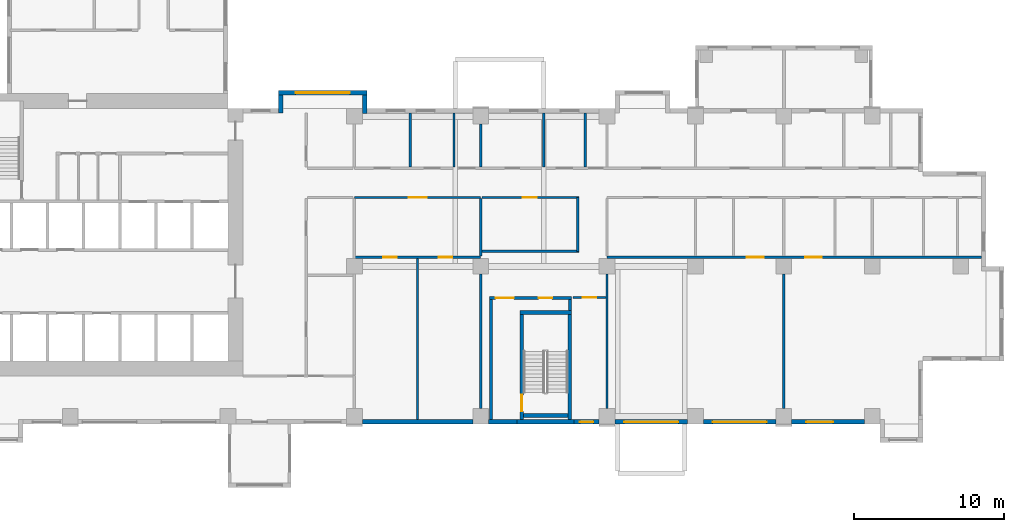
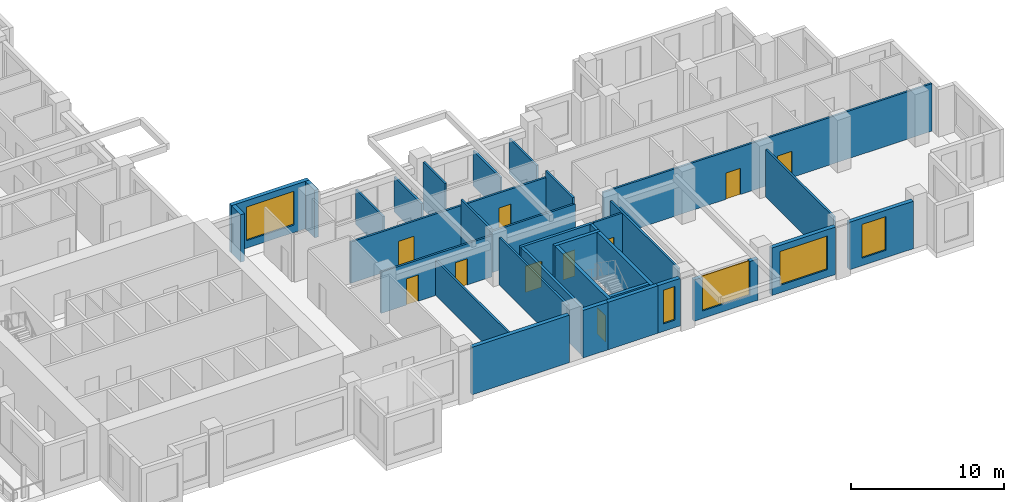
# One storey, part 4 of 14: 34 walls, 10 doors, 5 windows, 15 openings.
"""IFC4 building model written with IfcOpenShell, lengths in metres."""

from ifc_helpers import new_model, si_unit, direction, frame, frame_2d, origin, place, context, subcontext, project, spatial, rectangle, extrude, source, transform, mapped, material, layer, layer_set, type_object, element, fill, save


model = new_model("IFC4")

# Units and contexts
model_context = context("Model", 3, precision=1e-05, world=origin(), true_north=direction((0.0, 1.0)))
body_context = subcontext(model_context, "Body", "Model", "MODEL_VIEW")
ifc_project = project(units=[si_unit("LENGTHUNIT", "METRE"), si_unit("AREAUNIT", "SQUARE_METRE"), si_unit("VOLUMEUNIT", "CUBIC_METRE"), si_unit("PLANEANGLEUNIT", "RADIAN"), si_unit("MASSUNIT", "GRAM", prefix="KILO")], contexts=[model_context])

# Site, building, storey
site_placement = place(None, origin())
site = spatial("IfcSite", under=ifc_project, at=site_placement, CompositionType="ELEMENT")
building_placement = place(site_placement, origin())
building = spatial("IfcBuilding", under=site, at=building_placement, Name="Aurelian Terraces", CompositionType="ELEMENT")
storey_placement = place(building_placement, frame((0.0, 0.0, 116.1)))
storey = spatial("IfcBuildingStorey", under=building, at=storey_placement, Name="L25", CompositionType="ELEMENT", Elevation=116.1)

# Walls
ifc_material_1 = material(Name="Terracotta rainscreen cladding", Category="masonry")
ifc_layer_1 = layer(ifc_material_1, 0.3)
ifc_layer_set_1 = layer_set([ifc_layer_1], Name="EW-300")
wall_type_1 = type_object("IfcWallType", Name="EW-300", PredefinedType="STANDARD", material=ifc_layer_set_1)
wall_1_placement = place(storey_placement, frame((30.09, 20.675, 0.0), z_axis=(0.0, 0.0, 1.0), x_axis=(0.0, 1.0, 0.0)))
element("IfcWall", 1, at=wall_1_placement, inside=storey, type_object=wall_type_1, Name="Bay return L25 F07.21.1", PredefinedType="STANDARD", context=body_context, shape_type="SweptSolid", body=[
    extrude(rectangle(XDim=1.225, YDim=0.3, at=frame_2d((0.6125, 0.0))), origin(), (0.0, 0.0, 1.0), 3.8),
])
ifc_material_2 = material(Name="Gypsum board on steel studs", Category="steel")
ifc_layer_2 = layer(ifc_material_2, 0.15)
ifc_layer_set_2 = layer_set([ifc_layer_2], Name="Partition 150")
wall_type_2 = type_object("IfcWallType", Name="Partition 150", PredefinedType="PARTITIONING", material=ifc_layer_set_2)
wall_2_placement = place(storey_placement, frame((33.6, 0.3, 0.0), z_axis=(0.0, 0.0, 1.0), x_axis=(0.0, 1.0, 0.0)))
element("IfcWall", 2, at=wall_2_placement, inside=storey, type_object=wall_type_2, Name="Partition", PredefinedType="PARTITIONING", context=body_context, shape_type="SweptSolid", body=[
    extrude(rectangle(XDim=10.725, YDim=0.15, at=frame_2d((5.3625, 0.0))), origin(), (0.0, 0.0, 1.0), 2.8),
])
shared_shape_1 = source(origin(), body_context, "Body", "SweptSolid", [
    extrude(rectangle(XDim=1.2, YDim=0.3, at=frame_2d((0.6, 0.0))), origin(), (0.0, 0.0, 1.0), 3.8),
])
wall_3_placement = place(storey_placement, frame((24.51, 20.7, 0.0), z_axis=(0.0, 0.0, 1.0), x_axis=(0.0, 1.0, 0.0)))
element("IfcWall", 3, at=wall_3_placement, inside=storey, type_object=wall_type_1, Name="Bay return L25 F07.21.2", PredefinedType="STANDARD", context=body_context, shape_type="MappedRepresentation", body=[
    mapped(shared_shape_1, transform((0.0, 0.0, 0.0), scale=1.0)),
])

# Wall, opening, window
shared_shape_2 = source(origin(), body_context, "Body", "SweptSolid", [
    extrude(rectangle(XDim=5.88, YDim=0.3, at=frame_2d((2.94, 0.0))), origin(), (0.0, 0.0, 1.0), 3.8),
])
wall_4_placement = place(storey_placement, frame((30.24, 22.05, 0.0), z_axis=(0.0, 0.0, 1.0), x_axis=(-1.0, 0.0, 0.0)))
wall_4 = element("IfcWall", 4, at=wall_4_placement, inside=storey, type_object=wall_type_1, Name="Bay wall L25 F07.21", PredefinedType="STANDARD", context=body_context, shape_type="MappedRepresentation", body=[
    mapped(shared_shape_2, transform((0.0, 0.0, 0.0), scale=1.0)),
])
shared_shape_3 = source(origin(), body_context, "Body", "SweptSolid", [
    extrude(rectangle(XDim=3.6, YDim=2.7, at=frame_2d((1.8, 1.35))), frame((0.0, 0.16, 0.0), z_axis=(0.0, -1.0, 0.0), x_axis=(1.0, 0.0, 0.0)), (0.0, 0.0, 1.0), 0.32),
])
opening_1_placement = place(wall_4_placement, frame((1.14, 0.0, 0.6)))
opening_1 = element("IfcOpeningElement", 5, at=opening_1_placement, cuts=wall_4, Name="Opening W3627", PredefinedType="OPENING", context=body_context, shape_type="MappedRepresentation", body=[
    mapped(shared_shape_3, transform((0.0, 0.0, 0.0), scale=1.0)),
])
ifc_material_3 = material(Name="Clear glazing", Category="glass")
window_type_1 = type_object("IfcWindowType", Name="W-3600x2700", PartitioningType="SINGLE_PANEL", PredefinedType="WINDOW", material=ifc_material_3)
shared_shape_4 = source(origin(), body_context, "Body", "SweptSolid", [
    extrude(rectangle(XDim=3.6, YDim=2.7, at=frame_2d((1.8, 1.35))), frame((0.0, 0.03, 0.0), z_axis=(0.0, -1.0, 0.0), x_axis=(1.0, 0.0, 0.0)), (0.0, 0.0, 1.0), 0.06),
])
window_1_placement = place(opening_1_placement, origin())
window_1 = element("IfcWindow", 6, at=window_1_placement, inside=storey, type_object=window_type_1, Name="Window L25 L25-F07-21-0", OverallHeight=2.7, OverallWidth=3.6, PartitioningType="SINGLE_PANEL", PredefinedType="WINDOW", context=body_context, shape_type="MappedRepresentation", body=[
    mapped(shared_shape_4, transform((0.0, 0.0, 0.0), scale=1.0)),
])
fill(opening_1, window_1)

# Walls
ifc_material_4 = material(Name="Concrete fc' 40 MPa", Category="concrete")
ifc_layer_3 = layer(ifc_material_4, 0.3)
ifc_layer_set_3 = layer_set([ifc_layer_3], Name="STAIR BAY WALL 300")
wall_type_3 = type_object("IfcWallType", Name="STAIR BAY WALL 300", PredefinedType="SOLIDWALL", material=ifc_layer_set_3)
shared_shape_5 = source(origin(), body_context, "Body", "SweptSolid", [
    extrude(rectangle(XDim=3.8, YDim=0.3, at=frame_2d((1.9, 0.0))), origin(), (0.0, 0.0, 1.0), 3.8),
])
wall_5_placement = place(storey_placement, frame((40.2, 0.15, 0.0), z_axis=(0.0, 0.0, 1.0), x_axis=(1.0, 0.0, 0.0)))
element("IfcWall", 7, at=wall_5_placement, inside=storey, type_object=wall_type_3, Name="Stair bay wall L25 F01.6", PredefinedType="SOLIDWALL", context=body_context, shape_type="MappedRepresentation", body=[
    mapped(shared_shape_5, transform((0.0, 0.0, 0.0), scale=1.0)),
])
shared_shape_6 = source(origin(), body_context, "Body", "SweptSolid", [
    extrude(rectangle(XDim=7.35, YDim=0.3, at=frame_2d((3.675, 0.0))), origin(), (0.0, 0.0, 1.0), 3.8),
])
wall_6_placement = place(storey_placement, frame((29.925, 0.15, 0.0), z_axis=(0.0, 0.0, 1.0), x_axis=(1.0, 0.0, 0.0)))
element("IfcWall", 8, at=wall_6_placement, inside=storey, type_object=wall_type_1, Name="External wall L25 F01.5", PredefinedType="STANDARD", context=body_context, shape_type="MappedRepresentation", body=[
    mapped(shared_shape_6, transform((0.0, 0.0, 0.0), scale=1.0)),
])

# Wall, opening, window
shared_shape_7 = source(origin(), body_context, "Body", "SweptSolid", [
    extrude(rectangle(XDim=4.83, YDim=0.3, at=frame_2d((2.415, 0.0))), origin(), (0.0, 0.0, 1.0), 3.8),
])
wall_7_placement = place(storey_placement, frame((52.605, 0.15, 0.0), z_axis=(0.0, 0.0, 1.0), x_axis=(1.0, 0.0, 0.0)))
wall_7 = element("IfcWall", 9, at=wall_7_placement, inside=storey, type_object=wall_type_1, Name="External wall L25 F01.8", PredefinedType="STANDARD", context=body_context, shape_type="MappedRepresentation", body=[
    mapped(shared_shape_7, transform((0.0, 0.0, 0.0), scale=1.0)),
])
opening_2_placement = place(wall_7_placement, frame((0.615, 0.0, 0.6)))
opening_2 = element("IfcOpeningElement", 10, at=opening_2_placement, cuts=wall_7, Name="Opening W3627", PredefinedType="OPENING", context=body_context, shape_type="MappedRepresentation", body=[
    mapped(shared_shape_3, transform((0.0, 0.0, 0.0), scale=1.0)),
])
window_2_placement = place(opening_2_placement, origin())
window_2 = element("IfcWindow", 11, at=window_2_placement, inside=storey, type_object=window_type_1, Name="Window L25 L25-F01-08-0", OverallHeight=2.7, OverallWidth=3.6, PartitioningType="SINGLE_PANEL", PredefinedType="WINDOW", context=body_context, shape_type="MappedRepresentation", body=[
    mapped(shared_shape_4, transform((0.0, 0.0, 0.0), scale=1.0)),
])
fill(opening_2, window_2)

wall_8_placement = place(storey_placement, frame((58.485, 0.15, 0.0), z_axis=(0.0, 0.0, 1.0), x_axis=(1.0, 0.0, 0.0)))
wall_8 = element("IfcWall", 12, at=wall_8_placement, inside=storey, type_object=wall_type_1, Name="External wall L25 F01.9", PredefinedType="STANDARD", context=body_context, shape_type="MappedRepresentation", body=[
    mapped(shared_shape_7, transform((0.0, 0.0, 0.0), scale=1.0)),
])
shared_shape_8 = source(origin(), body_context, "Body", "SweptSolid", [
    extrude(rectangle(XDim=1.8, YDim=2.7, at=frame_2d((0.9, 1.35))), frame((0.0, 0.16, 0.0), z_axis=(0.0, -1.0, 0.0), x_axis=(1.0, 0.0, 0.0)), (0.0, 0.0, 1.0), 0.32),
])
opening_3_placement = place(wall_8_placement, frame((0.9525, 0.0, 0.6)))
opening_3 = element("IfcOpeningElement", 13, at=opening_3_placement, cuts=wall_8, Name="Opening W1827", PredefinedType="OPENING", context=body_context, shape_type="MappedRepresentation", body=[
    mapped(shared_shape_8, transform((0.0, 0.0, 0.0), scale=1.0)),
])
window_type_2 = type_object("IfcWindowType", Name="W-1800x2700", PartitioningType="SINGLE_PANEL", PredefinedType="WINDOW", material=ifc_material_3)
shared_shape_9 = source(origin(), body_context, "Body", "SweptSolid", [
    extrude(rectangle(XDim=1.8, YDim=2.7, at=frame_2d((0.9, 1.35))), frame((0.0, 0.03, 0.0), z_axis=(0.0, -1.0, 0.0), x_axis=(1.0, 0.0, 0.0)), (0.0, 0.0, 1.0), 0.06),
])
window_3_placement = place(opening_3_placement, origin())
window_3 = element("IfcWindow", 14, at=window_3_placement, inside=storey, type_object=window_type_2, Name="Window L25 L25-F01-09-0", OverallHeight=2.7, OverallWidth=1.8, PartitioningType="SINGLE_PANEL", PredefinedType="WINDOW", context=body_context, shape_type="MappedRepresentation", body=[
    mapped(shared_shape_9, transform((0.0, 0.0, 0.0), scale=1.0)),
])
fill(opening_3, window_3)

shared_shape_10 = source(origin(), body_context, "Body", "SweptSolid", [
    extrude(rectangle(XDim=1.675, YDim=0.3, at=frame_2d((0.8375, 0.0))), origin(), (0.0, 0.0, 1.0), 3.8),
])
wall_9_placement = place(storey_placement, frame((44.0, 0.15, 0.0), z_axis=(0.0, 0.0, 1.0), x_axis=(1.0, 0.0, 0.0)))
wall_9 = element("IfcWall", 15, at=wall_9_placement, inside=storey, type_object=wall_type_1, Name="External wall L25 F01.6", PredefinedType="STANDARD", context=body_context, shape_type="MappedRepresentation", body=[
    mapped(shared_shape_10, transform((0.0, 0.0, 0.0), scale=1.0)),
])
shared_shape_11 = source(origin(), body_context, "Body", "SweptSolid", [
    extrude(rectangle(XDim=0.9, YDim=2.7, at=frame_2d((0.45, 1.35))), frame((0.0, 0.16, 0.0), z_axis=(0.0, -1.0, 0.0), x_axis=(1.0, 0.0, 0.0)), (0.0, 0.0, 1.0), 0.32),
])
opening_4_placement = place(wall_9_placement, frame((0.3875, 0.0, 0.6)))
opening_4 = element("IfcOpeningElement", 16, at=opening_4_placement, cuts=wall_9, Name="Opening W0927", PredefinedType="OPENING", context=body_context, shape_type="MappedRepresentation", body=[
    mapped(shared_shape_11, transform((0.0, 0.0, 0.0), scale=1.0)),
])
window_type_3 = type_object("IfcWindowType", Name="W-900x2700", PartitioningType="SINGLE_PANEL", PredefinedType="WINDOW", material=ifc_material_3)
shared_shape_12 = source(origin(), body_context, "Body", "SweptSolid", [
    extrude(rectangle(XDim=0.9, YDim=2.7, at=frame_2d((0.45, 1.35))), frame((0.0, 0.03, 0.0), z_axis=(0.0, -1.0, 0.0), x_axis=(1.0, 0.0, 0.0)), (0.0, 0.0, 1.0), 0.06),
])
window_4_placement = place(opening_4_placement, origin())
window_4 = element("IfcWindow", 17, at=window_4_placement, inside=storey, type_object=window_type_3, Name="Window L25 L25-F01-06-P2", OverallHeight=2.7, OverallWidth=0.9, PartitioningType="SINGLE_PANEL", PredefinedType="WINDOW", context=body_context, shape_type="MappedRepresentation", body=[
    mapped(shared_shape_12, transform((0.0, 0.0, 0.0), scale=1.0)),
])
fill(opening_4, window_4)

shared_shape_13 = source(origin(), body_context, "Body", "SweptSolid", [
    extrude(rectangle(XDim=4.83, YDim=0.3, at=frame_2d((2.415, 0.0))), origin(), (0.0, 0.0, 1.0), 3.3),
])
wall_10_placement = place(storey_placement, frame((46.725, 0.15, 0.0), z_axis=(0.0, 0.0, 1.0), x_axis=(1.0, 0.0, 0.0)))
wall_10 = element("IfcWall", 18, at=wall_10_placement, inside=storey, type_object=wall_type_1, Name="External wall L25 F01.7", PredefinedType="STANDARD", context=body_context, shape_type="MappedRepresentation", body=[
    mapped(shared_shape_13, transform((0.0, 0.0, 0.0), scale=1.0)),
])
opening_5_placement = place(wall_10_placement, frame((0.615, 0.0, 0.6)))
opening_5 = element("IfcOpeningElement", 19, at=opening_5_placement, cuts=wall_10, Name="Opening W3627", PredefinedType="OPENING", context=body_context, shape_type="MappedRepresentation", body=[
    mapped(shared_shape_3, transform((0.0, 0.0, 0.0), scale=1.0)),
])
window_5_placement = place(opening_5_placement, origin())
window_5 = element("IfcWindow", 20, at=window_5_placement, inside=storey, type_object=window_type_1, Name="Window L25 L25-F01-07-0", OverallHeight=2.7, OverallWidth=3.6, PartitioningType="SINGLE_PANEL", PredefinedType="WINDOW", context=body_context, shape_type="MappedRepresentation", body=[
    mapped(shared_shape_4, transform((0.0, 0.0, 0.0), scale=1.0)),
])
fill(opening_5, window_5)

# Wall
shared_shape_14 = source(origin(), body_context, "Body", "SweptSolid", [
    extrude(rectangle(XDim=1.875, YDim=0.3, at=frame_2d((0.9375, 0.0))), origin(), (0.0, 0.0, 1.0), 3.8),
])
wall_11_placement = place(storey_placement, frame((38.325, 0.15, 0.0), z_axis=(0.0, 0.0, 1.0), x_axis=(1.0, 0.0, 0.0)))
element("IfcWall", 21, at=wall_11_placement, inside=storey, type_object=wall_type_1, Name="External wall L25 F01.6", PredefinedType="STANDARD", context=body_context, shape_type="MappedRepresentation", body=[
    mapped(shared_shape_14, transform((0.0, 0.0, 0.0), scale=1.0)),
])

# Wall, opening, door
ifc_layer_4 = layer(ifc_material_4, 0.25)
ifc_layer_set_4 = layer_set([ifc_layer_4], Name="Stair enclosure wall 250")
wall_type_4 = type_object("IfcWallType", Name="Stair enclosure wall 250", PredefinedType="SOLIDWALL", material=ifc_layer_set_4)
shared_shape_15 = source(origin(), body_context, "Body", "SweptSolid", [
    extrude(rectangle(XDim=7.0, YDim=0.25, at=frame_2d((3.5, 0.0))), origin(), (0.0, 0.0, 1.0), 3.8),
])
wall_12_placement = place(storey_placement, frame((40.525, 0.3, 0.0), z_axis=(0.0, 0.0, 1.0), x_axis=(0.0, 1.0, 0.0)))
wall_12 = element("IfcWall", 22, at=wall_12_placement, inside=storey, type_object=wall_type_4, Name="L25 core wall ST-S2-W", PredefinedType="SOLIDWALL", context=body_context, shape_type="MappedRepresentation", body=[
    mapped(shared_shape_15, transform((0.0, 0.0, 0.0), scale=1.0)),
])
shared_shape_16 = source(origin(), body_context, "Body", "SweptSolid", [
    extrude(rectangle(XDim=1.1, YDim=2.1, at=frame_2d((0.55, 1.05))), frame((0.0, 0.135, 0.0), z_axis=(0.0, -1.0, 0.0), x_axis=(1.0, 0.0, 0.0)), (0.0, 0.0, 1.0), 0.27),
])
opening_6_placement = place(wall_12_placement, frame((0.55, 0.0, 0.0)))
opening_6 = element("IfcOpeningElement", 23, at=opening_6_placement, cuts=wall_12, Name="Opening 62815", PredefinedType="OPENING", context=body_context, shape_type="MappedRepresentation", body=[
    mapped(shared_shape_16, transform((0.0, 0.0, 0.0), scale=1.0)),
])
ifc_material_5 = material(Name="Steel door leaf", Category="steel")
door_type_1 = type_object("IfcDoorType", Name="Core fire door 1100x2100 right", OperationType="SINGLE_SWING_RIGHT", PredefinedType="DOOR", material=ifc_material_5)
shared_shape_17 = source(origin(), body_context, "Body", "SweptSolid", [
    extrude(rectangle(XDim=1.1, YDim=2.1, at=frame_2d((0.55, 1.05))), frame((0.0, 0.025, 0.0), z_axis=(0.0, -1.0, 0.0), x_axis=(1.0, 0.0, 0.0)), (0.0, 0.0, 1.0), 0.05),
])
door_1_placement = place(opening_6_placement, origin())
door_1 = element("IfcDoor", 24, at=door_1_placement, inside=storey, type_object=door_type_1, Name="Stair door 62815", OperationType="SINGLE_SWING_RIGHT", OverallHeight=2.1, OverallWidth=1.1, PredefinedType="DOOR", context=body_context, shape_type="MappedRepresentation", body=[
    mapped(shared_shape_17, transform((0.0, 0.0, 0.0), scale=1.0)),
])
fill(opening_6, door_1)

# Walls
wall_13_placement = place(storey_placement, frame((43.725, 0.3, 0.0), z_axis=(0.0, 0.0, 1.0), x_axis=(0.0, 1.0, 0.0)))
element("IfcWall", 25, at=wall_13_placement, inside=storey, type_object=wall_type_4, Name="L25 core wall ST-S2-E", PredefinedType="SOLIDWALL", context=body_context, shape_type="MappedRepresentation", body=[
    mapped(shared_shape_15, transform((0.0, 0.0, 0.0), scale=1.0)),
])
shared_shape_18 = source(origin(), body_context, "Body", "SweptSolid", [
    extrude(rectangle(XDim=3.45, YDim=0.25, at=frame_2d((1.725, 0.0))), origin(), (0.0, 0.0, 1.0), 3.8),
])
wall_14_placement = place(storey_placement, frame((40.4, 7.425, 0.0), z_axis=(0.0, 0.0, 1.0), x_axis=(1.0, 0.0, 0.0)))
element("IfcWall", 26, at=wall_14_placement, inside=storey, type_object=wall_type_4, Name="L25 core wall ST-S2-N", PredefinedType="SOLIDWALL", context=body_context, shape_type="MappedRepresentation", body=[
    mapped(shared_shape_18, transform((0.0, 0.0, 0.0), scale=1.0)),
])
shared_shape_19 = source(origin(), body_context, "Body", "SweptSolid", [
    extrude(rectangle(XDim=2.95, YDim=0.25, at=frame_2d((1.475, 0.0))), origin(), (0.0, 0.0, 1.0), 3.8),
])
wall_15_placement = place(storey_placement, frame((40.65, 0.575, 0.0), z_axis=(0.0, 0.0, 1.0), x_axis=(1.0, 0.0, 0.0)))
element("IfcWall", 27, at=wall_15_placement, inside=storey, type_object=wall_type_4, Name="L25 core wall ST-S2-SS", PredefinedType="SOLIDWALL", context=body_context, shape_type="MappedRepresentation", body=[
    mapped(shared_shape_19, transform((0.0, 0.0, 0.0), scale=1.0)),
])
ifc_layer_5 = layer(ifc_material_2, 0.2)
ifc_layer_set_5 = layer_set([ifc_layer_5], Name="Core partition 200")
wall_type_5 = type_object("IfcWallType", Name="Core partition 200", PredefinedType="PARTITIONING", material=ifc_layer_set_5)
shared_shape_20 = source(origin(), body_context, "Body", "SweptSolid", [
    extrude(rectangle(XDim=8.0, YDim=0.2, at=frame_2d((4.0, 0.0))), origin(), (0.0, 0.0, 1.0), 3.8),
])
wall_16_placement = place(storey_placement, frame((38.5, 0.3, 0.0), z_axis=(0.0, 0.0, 1.0), x_axis=(0.0, 1.0, 0.0)))
element("IfcWall", 28, at=wall_16_placement, inside=storey, type_object=wall_type_5, Name="L25 core wall ST-S2-VW", PredefinedType="PARTITIONING", context=body_context, shape_type="MappedRepresentation", body=[
    mapped(shared_shape_20, transform((0.0, 0.0, 0.0), scale=1.0)),
])

# Wall, openings, doors
shared_shape_21 = source(origin(), body_context, "Body", "SweptSolid", [
    extrude(rectangle(XDim=5.45, YDim=0.2, at=frame_2d((2.725, 0.0))), origin(), (0.0, 0.0, 1.0), 3.8),
])
wall_17_placement = place(storey_placement, frame((38.4, 8.4, 0.0), z_axis=(0.0, 0.0, 1.0), x_axis=(1.0, 0.0, 0.0)))
wall_17 = element("IfcWall", 29, at=wall_17_placement, inside=storey, type_object=wall_type_5, Name="L25 core wall ST-S2-BN", PredefinedType="PARTITIONING", context=body_context, shape_type="MappedRepresentation", body=[
    mapped(shared_shape_21, transform((0.0, 0.0, 0.0), scale=1.0)),
])
shared_shape_22 = source(origin(), body_context, "Body", "SweptSolid", [
    extrude(rectangle(XDim=1.2, YDim=2.1, at=frame_2d((0.6, 1.05))), frame((0.0, 0.11, 0.0), z_axis=(0.0, -1.0, 0.0), x_axis=(1.0, 0.0, 0.0)), (0.0, 0.0, 1.0), 0.22),
])
opening_7_placement = place(wall_17_placement, frame((0.4, 0.0, 0.0)))
opening_7 = element("IfcOpeningElement", 30, at=opening_7_placement, cuts=wall_17, Name="Opening 62816", PredefinedType="OPENING", context=body_context, shape_type="MappedRepresentation", body=[
    mapped(shared_shape_22, transform((0.0, 0.0, 0.0), scale=1.0)),
])
shared_shape_23 = source(origin(), body_context, "Body", "SweptSolid", [
    extrude(rectangle(XDim=0.9, YDim=2.1, at=frame_2d((0.45, 1.05))), frame((0.0, 0.11, 0.0), z_axis=(0.0, -1.0, 0.0), x_axis=(1.0, 0.0, 0.0)), (0.0, 0.0, 1.0), 0.22),
])
opening_8_placement = place(wall_17_placement, frame((3.25, 0.0, 0.0)))
opening_8 = element("IfcOpeningElement", 31, at=opening_8_placement, cuts=wall_17, Name="Opening 62817", PredefinedType="OPENING", context=body_context, shape_type="MappedRepresentation", body=[
    mapped(shared_shape_23, transform((0.0, 0.0, 0.0), scale=1.0)),
])
door_type_2 = type_object("IfcDoorType", Name="Core riser door 900x2100 right", OperationType="SINGLE_SWING_RIGHT", PredefinedType="DOOR", material=ifc_material_5)
shared_shape_24 = source(origin(), body_context, "Body", "SweptSolid", [
    extrude(rectangle(XDim=0.9, YDim=2.1, at=frame_2d((0.45, 1.05))), frame((0.0, 0.025, 0.0), z_axis=(0.0, -1.0, 0.0), x_axis=(1.0, 0.0, 0.0)), (0.0, 0.0, 1.0), 0.05),
])
door_2_placement = place(opening_8_placement, origin())
door_2 = element("IfcDoor", 32, at=door_2_placement, inside=storey, type_object=door_type_2, Name="Riser door 62817", OperationType="SINGLE_SWING_RIGHT", OverallHeight=2.1, OverallWidth=0.9, PredefinedType="DOOR", context=body_context, shape_type="MappedRepresentation", body=[
    mapped(shared_shape_24, transform((0.0, 0.0, 0.0), scale=1.0)),
])
fill(opening_8, door_2)
door_type_3 = type_object("IfcDoorType", Name="Core fire door 1200x2100", OperationType="SINGLE_SWING_LEFT", PredefinedType="DOOR", material=ifc_material_5)
shared_shape_25 = source(origin(), body_context, "Body", "SweptSolid", [
    extrude(rectangle(XDim=1.2, YDim=2.1, at=frame_2d((0.6, 1.05))), frame((0.0, 0.025, 0.0), z_axis=(0.0, -1.0, 0.0), x_axis=(1.0, 0.0, 0.0)), (0.0, 0.0, 1.0), 0.05),
])
door_3_placement = place(opening_7_placement, origin())
door_3 = element("IfcDoor", 33, at=door_3_placement, inside=storey, type_object=door_type_3, Name="Vestibule door 62816", OperationType="SINGLE_SWING_LEFT", OverallHeight=2.1, OverallWidth=1.2, PredefinedType="DOOR", context=body_context, shape_type="MappedRepresentation", body=[
    mapped(shared_shape_25, transform((0.0, 0.0, 0.0), scale=1.0)),
])
fill(opening_7, door_3)

# Wall
shared_shape_26 = source(origin(), body_context, "Body", "SweptSolid", [
    extrude(rectangle(XDim=0.75, YDim=0.2, at=frame_2d((0.375, 0.0))), origin(), (0.0, 0.0, 1.0), 3.8),
])
wall_18_placement = place(storey_placement, frame((43.75, 7.55, 0.0), z_axis=(0.0, 0.0, 1.0), x_axis=(0.0, 1.0, 0.0)))
element("IfcWall", 34, at=wall_18_placement, inside=storey, type_object=wall_type_5, Name="L25 core wall ST-S2-RE", PredefinedType="PARTITIONING", context=body_context, shape_type="MappedRepresentation", body=[
    mapped(shared_shape_26, transform((0.0, 0.0, 0.0), scale=1.0)),
])

# Wall, openings, doors
shared_shape_27 = source(origin(), body_context, "Body", "SweptSolid", [
    extrude(rectangle(XDim=24.9, YDim=0.15, at=frame_2d((12.45, 0.0))), origin(), (0.0, 0.0, 1.0), 3.8),
])
wall_19_placement = place(storey_placement, frame((71.1, 11.1, 0.0), z_axis=(0.0, 0.0, 1.0), x_axis=(-1.0, 0.0, 0.0)))
wall_19 = element("IfcWall", 35, at=wall_19_placement, inside=storey, type_object=wall_type_2, Name="Partition", PredefinedType="PARTITIONING", context=body_context, shape_type="MappedRepresentation", body=[
    mapped(shared_shape_27, transform((0.0, 0.0, 0.0), scale=1.0)),
])
shared_shape_28 = source(origin(), body_context, "Body", "SweptSolid", [
    extrude(rectangle(XDim=1.1, YDim=2.1, at=frame_2d((0.55, 1.05))), frame((0.0, 0.085, 0.0), z_axis=(0.0, -1.0, 0.0), x_axis=(1.0, 0.0, 0.0)), (0.0, 0.0, 1.0), 0.17),
])
opening_9_placement = place(wall_19_placement, frame((14.4928, 0.0, 0.0)))
opening_9 = element("IfcOpeningElement", 36, at=opening_9_placement, cuts=wall_19, Name="Opening 725011", PredefinedType="OPENING", context=body_context, shape_type="MappedRepresentation", body=[
    mapped(shared_shape_28, transform((0.0, 0.0, 0.0), scale=1.0)),
])
opening_10_placement = place(wall_19_placement, frame((10.6145, 0.0, 0.0)))
opening_10 = element("IfcOpeningElement", 37, at=opening_10_placement, cuts=wall_19, Name="Opening 725015", PredefinedType="OPENING", context=body_context, shape_type="MappedRepresentation", body=[
    mapped(shared_shape_28, transform((0.0, 0.0, 0.0), scale=1.0)),
])
ifc_material_6 = material(Name="Timber door leaf", Category="wood")
door_type_4 = type_object("IfcDoorType", Name="Room door 1100x2100 left", OperationType="SINGLE_SWING_LEFT", PredefinedType="DOOR", material=ifc_material_6)
door_4_placement = place(opening_9_placement, origin())
door_4 = element("IfcDoor", 38, at=door_4_placement, inside=storey, type_object=door_type_4, Name="Door 725011", OperationType="SINGLE_SWING_LEFT", OverallHeight=2.1, OverallWidth=1.1, PredefinedType="DOOR", context=body_context, shape_type="MappedRepresentation", body=[
    mapped(shared_shape_17, transform((0.0, 0.0, 0.0), scale=1.0)),
])
fill(opening_9, door_4)
door_5_placement = place(opening_10_placement, origin())
door_5 = element("IfcDoor", 39, at=door_5_placement, inside=storey, type_object=door_type_4, Name="Door 725015", OperationType="SINGLE_SWING_LEFT", OverallHeight=2.1, OverallWidth=1.1, PredefinedType="DOOR", context=body_context, shape_type="MappedRepresentation", body=[
    mapped(shared_shape_17, transform((0.0, 0.0, 0.0), scale=1.0)),
])
fill(opening_10, door_5)

# Wall, opening, door
shared_shape_29 = source(origin(), body_context, "Body", "SweptSolid", [
    extrude(rectangle(XDim=2.2, YDim=0.15, at=frame_2d((1.1, 0.0))), origin(), (0.0, 0.0, 1.0), 3.8),
])
wall_20_placement = place(storey_placement, frame((46.125, 8.425, 0.0), z_axis=(0.0, 0.0, 1.0), x_axis=(-1.0, 0.0, 0.0)))
wall_20 = element("IfcWall", 40, at=wall_20_placement, inside=storey, type_object=wall_type_2, Name="Partition", PredefinedType="PARTITIONING", context=body_context, shape_type="MappedRepresentation", body=[
    mapped(shared_shape_29, transform((0.0, 0.0, 0.0), scale=1.0)),
])
shared_shape_30 = source(origin(), body_context, "Body", "SweptSolid", [
    extrude(rectangle(XDim=0.9, YDim=2.1, at=frame_2d((0.45, 1.05))), frame((0.0, 0.085, 0.0), z_axis=(0.0, -1.0, 0.0), x_axis=(1.0, 0.0, 0.0)), (0.0, 0.0, 1.0), 0.17),
])
opening_11_placement = place(wall_20_placement, frame((0.65, 0.0, 0.0)))
opening_11 = element("IfcOpeningElement", 41, at=opening_11_placement, cuts=wall_20, Name="Opening 725006", PredefinedType="OPENING", context=body_context, shape_type="MappedRepresentation", body=[
    mapped(shared_shape_30, transform((0.0, 0.0, 0.0), scale=1.0)),
])
door_type_5 = type_object("IfcDoorType", Name="Room door 900x2100 left", OperationType="SINGLE_SWING_LEFT", PredefinedType="DOOR", material=ifc_material_6)
door_6_placement = place(opening_11_placement, origin())
door_6 = element("IfcDoor", 42, at=door_6_placement, inside=storey, type_object=door_type_5, Name="Door 725006", OperationType="SINGLE_SWING_LEFT", OverallHeight=2.1, OverallWidth=0.9, PredefinedType="DOOR", context=body_context, shape_type="MappedRepresentation", body=[
    mapped(shared_shape_24, transform((0.0, 0.0, 0.0), scale=1.0)),
])
fill(opening_11, door_6)

# Walls
shared_shape_31 = source(origin(), body_context, "Body", "SweptSolid", [
    extrude(rectangle(XDim=3.575, YDim=0.15, at=frame_2d((1.7875, 0.0))), origin(), (0.0, 0.0, 1.0), 3.8),
])
wall_21_placement = place(storey_placement, frame((44.25, 11.5, 0.0), z_axis=(0.0, 0.0, 1.0), x_axis=(0.0, 1.0, 0.0)))
element("IfcWall", 43, at=wall_21_placement, inside=storey, type_object=wall_type_2, Name="Partition", PredefinedType="PARTITIONING", context=body_context, shape_type="MappedRepresentation", body=[
    mapped(shared_shape_31, transform((0.0, 0.0, 0.0), scale=1.0)),
])
shared_shape_32 = source(origin(), body_context, "Body", "SweptSolid", [
    extrude(rectangle(XDim=3.6, YDim=0.15, at=frame_2d((1.8, 0.0))), origin(), (0.0, 0.0, 1.0), 2.8),
])
for number, where, z_axis, x_axis, name in (
    (44, (33.1133, 20.7, 0.0), (0.0, 0.0, 1.0), (0.0, -1.0, 0.0), "Partition"),
    (45, (36.024, 20.7, 0.0), (0.0, 0.0, 1.0), (0.0, -1.0, 0.0), "Partition"),
    (46, (44.748, 20.7, 0.0), (0.0, 0.0, 1.0), (0.0, -1.0, 0.0), "Partition"),
    (47, (42.0, 17.1, 0.0), (0.0, 0.0, 1.0), (0.0, 1.0, 0.0), "Partition"),
):
    element("IfcWall", number, at=place(storey_placement, frame(where, z_axis=z_axis, x_axis=x_axis)), inside=storey, type_object=wall_type_2, Name=name, PredefinedType="PARTITIONING", context=body_context, shape_type="MappedRepresentation", body=[
        mapped(shared_shape_32, transform((0.0, 0.0, 0.0), scale=1.0)),
    ])

# Wall, openings, doors
shared_shape_33 = source(origin(), body_context, "Body", "SweptSolid", [
    extrude(rectangle(XDim=8.4, YDim=0.15, at=frame_2d((4.2, 0.0))), origin(), (0.0, 0.0, 1.0), 3.3),
])
wall_22_placement = place(storey_placement, frame((37.8, 11.1, 0.0), z_axis=(0.0, 0.0, 1.0), x_axis=(-1.0, 0.0, 0.0)))
wall_22 = element("IfcWall", 48, at=wall_22_placement, inside=storey, type_object=wall_type_2, Name="Partition", PredefinedType="PARTITIONING", context=body_context, shape_type="MappedRepresentation", body=[
    mapped(shared_shape_33, transform((0.0, 0.0, 0.0), scale=1.0)),
])
opening_12_placement = place(wall_22_placement, frame((5.575, 0.0, 0.0)))
opening_12 = element("IfcOpeningElement", 49, at=opening_12_placement, cuts=wall_22, Name="Opening 725008", PredefinedType="OPENING", context=body_context, shape_type="MappedRepresentation", body=[
    mapped(shared_shape_30, transform((0.0, 0.0, 0.0), scale=1.0)),
])
opening_13_placement = place(wall_22_placement, frame((1.875, 0.0, 0.0)))
opening_13 = element("IfcOpeningElement", 50, at=opening_13_placement, cuts=wall_22, Name="Opening 725009", PredefinedType="OPENING", context=body_context, shape_type="MappedRepresentation", body=[
    mapped(shared_shape_30, transform((0.0, 0.0, 0.0), scale=1.0)),
])
door_7_placement = place(opening_12_placement, origin())
door_7 = element("IfcDoor", 51, at=door_7_placement, inside=storey, type_object=door_type_5, Name="Door 725008", OperationType="SINGLE_SWING_LEFT", OverallHeight=2.1, OverallWidth=0.9, PredefinedType="DOOR", context=body_context, shape_type="MappedRepresentation", body=[
    mapped(shared_shape_24, transform((0.0, 0.0, 0.0), scale=1.0)),
])
fill(opening_12, door_7)
door_type_6 = type_object("IfcDoorType", Name="Room door 900x2100 right", OperationType="SINGLE_SWING_RIGHT", PredefinedType="DOOR", material=ifc_material_6)
door_8_placement = place(opening_13_placement, origin())
door_8 = element("IfcDoor", 52, at=door_8_placement, inside=storey, type_object=door_type_6, Name="Door 725009", OperationType="SINGLE_SWING_RIGHT", OverallHeight=2.1, OverallWidth=0.9, PredefinedType="DOOR", context=body_context, shape_type="MappedRepresentation", body=[
    mapped(shared_shape_24, transform((0.0, 0.0, 0.0), scale=1.0)),
])
fill(opening_13, door_8)

# Wall, opening, door
ifc_layer_6 = layer(ifc_material_2, 0.15)
ifc_layer_set_6 = layer_set([ifc_layer_6], Name="Fire partition 150")
wall_type_6 = type_object("IfcWallType", Name="Fire partition 150", PredefinedType="PARTITIONING", material=ifc_layer_set_6)
wall_23_placement = place(storey_placement, frame((37.8, 15.075, 0.0), z_axis=(0.0, 0.0, 1.0), x_axis=(-1.0, 0.0, 0.0)))
wall_23 = element("IfcWall", 53, at=wall_23_placement, inside=storey, type_object=wall_type_6, Name="Corridor wall", PredefinedType="PARTITIONING", context=body_context, shape_type="MappedRepresentation", body=[
    mapped(shared_shape_33, transform((0.0, 0.0, 0.0), scale=1.0)),
])
shared_shape_34 = source(origin(), body_context, "Body", "SweptSolid", [
    extrude(rectangle(XDim=1.2, YDim=2.1, at=frame_2d((0.6, 1.05))), frame((0.0, 0.085, 0.0), z_axis=(0.0, -1.0, 0.0), x_axis=(1.0, 0.0, 0.0)), (0.0, 0.0, 1.0), 0.17),
])
opening_14_placement = place(wall_23_placement, frame((3.6, 0.0, 0.0)))
opening_14 = element("IfcOpeningElement", 54, at=opening_14_placement, cuts=wall_23, Name="Opening 725007", PredefinedType="OPENING", context=body_context, shape_type="MappedRepresentation", body=[
    mapped(shared_shape_34, transform((0.0, 0.0, 0.0), scale=1.0)),
])
door_type_7 = type_object("IfcDoorType", Name="Room door 1200x2100 right", OperationType="SINGLE_SWING_RIGHT", PredefinedType="DOOR", material=ifc_material_6)
door_9_placement = place(opening_14_placement, origin())
door_9 = element("IfcDoor", 55, at=door_9_placement, inside=storey, type_object=door_type_7, Name="Door 725007", OperationType="SINGLE_SWING_RIGHT", OverallHeight=2.1, OverallWidth=1.2, PredefinedType="DOOR", context=body_context, shape_type="MappedRepresentation", body=[
    mapped(shared_shape_25, transform((0.0, 0.0, 0.0), scale=1.0)),
])
fill(opening_14, door_9)

# Wall
shared_shape_35 = source(origin(), body_context, "Body", "SweptSolid", [
    extrude(rectangle(XDim=6.45, YDim=0.15, at=frame_2d((3.225, 0.0))), origin(), (0.0, 0.0, 1.0), 3.3),
])
wall_24_placement = place(storey_placement, frame((37.875, 11.5, 0.0), z_axis=(0.0, 0.0, 1.0), x_axis=(1.0, 0.0, 0.0)))
element("IfcWall", 56, at=wall_24_placement, inside=storey, type_object=wall_type_2, Name="Partition", PredefinedType="PARTITIONING", context=body_context, shape_type="MappedRepresentation", body=[
    mapped(shared_shape_35, transform((0.0, 0.0, 0.0), scale=1.0)),
])

# Wall, opening, door
wall_25_placement = place(storey_placement, frame((44.325, 15.075, 0.0), z_axis=(0.0, 0.0, 1.0), x_axis=(-1.0, 0.0, 0.0)))
wall_25 = element("IfcWall", 57, at=wall_25_placement, inside=storey, type_object=wall_type_6, Name="Corridor wall", PredefinedType="PARTITIONING", context=body_context, shape_type="MappedRepresentation", body=[
    mapped(shared_shape_35, transform((0.0, 0.0, 0.0), scale=1.0)),
])
opening_15_placement = place(wall_25_placement, frame((2.8125, 0.0, 0.0)))
opening_15 = element("IfcOpeningElement", 58, at=opening_15_placement, cuts=wall_25, Name="Opening 725005", PredefinedType="OPENING", context=body_context, shape_type="MappedRepresentation", body=[
    mapped(shared_shape_30, transform((0.0, 0.0, 0.0), scale=1.0)),
])
door_10_placement = place(opening_15_placement, origin())
door_10 = element("IfcDoor", 59, at=door_10_placement, inside=storey, type_object=door_type_5, Name="Door 725005", OperationType="SINGLE_SWING_LEFT", OverallHeight=2.1, OverallWidth=0.9, PredefinedType="DOOR", context=body_context, shape_type="MappedRepresentation", body=[
    mapped(shared_shape_24, transform((0.0, 0.0, 0.0), scale=1.0)),
])
fill(opening_15, door_10)

# Walls
shared_shape_36 = source(origin(), body_context, "Body", "SweptSolid", [
    extrude(rectangle(XDim=3.825, YDim=0.15, at=frame_2d((1.9125, 0.0))), origin(), (0.0, 0.0, 1.0), 3.8),
])
wall_26_placement = place(storey_placement, frame((37.8, 11.175, 0.0), z_axis=(0.0, 0.0, 1.0), x_axis=(0.0, 1.0, 0.0)))
element("IfcWall", 60, at=wall_26_placement, inside=storey, type_object=wall_type_2, Name="Partition", PredefinedType="PARTITIONING", context=body_context, shape_type="MappedRepresentation", body=[
    mapped(shared_shape_36, transform((0.0, 0.0, 0.0), scale=1.0)),
])
shared_shape_37 = source(origin(), body_context, "Body", "SweptSolid", [
    extrude(rectangle(XDim=8.927, YDim=0.15, at=frame_2d((4.4635, 0.0))), origin(), (0.0, 0.0, 1.0), 3.8),
])
for number, where, z_axis, x_axis, name in (
    (61, (37.8, 1.049, 0.0), (0.0, 0.0, 1.0), (0.0, 1.0, 0.0), "Partition"),
    (62, (46.2, 1.049, 0.0), (0.0, 0.0, 1.0), (0.0, 1.0, 0.0), "Partition"),
    (63, (57.96, 1.049, 0.0), (0.0, 0.0, 1.0), (0.0, 1.0, 0.0), "Partition"),
):
    element("IfcWall", number, at=place(storey_placement, frame(where, z_axis=z_axis, x_axis=x_axis)), inside=storey, type_object=wall_type_2, Name=name, PredefinedType="PARTITIONING", context=body_context, shape_type="MappedRepresentation", body=[
        mapped(shared_shape_37, transform((0.0, 0.0, 0.0), scale=1.0)),
    ])
shared_shape_38 = source(origin(), body_context, "Body", "SweptSolid", [
    extrude(rectangle(XDim=2.851, YDim=0.15, at=frame_2d((1.4255, 0.0))), origin(), (0.0, 0.0, 1.0), 3.8),
])
wall_27_placement = place(storey_placement, frame((37.8, 17.1, 0.0), z_axis=(0.0, 0.0, 1.0), x_axis=(0.0, 1.0, 0.0)))
element("IfcWall", 64, at=wall_27_placement, inside=storey, type_object=wall_type_2, Name="Partition", PredefinedType="PARTITIONING", context=body_context, shape_type="MappedRepresentation", body=[
    mapped(shared_shape_38, transform((0.0, 0.0, 0.0), scale=1.0)),
])

save(model, "model.ifc")
